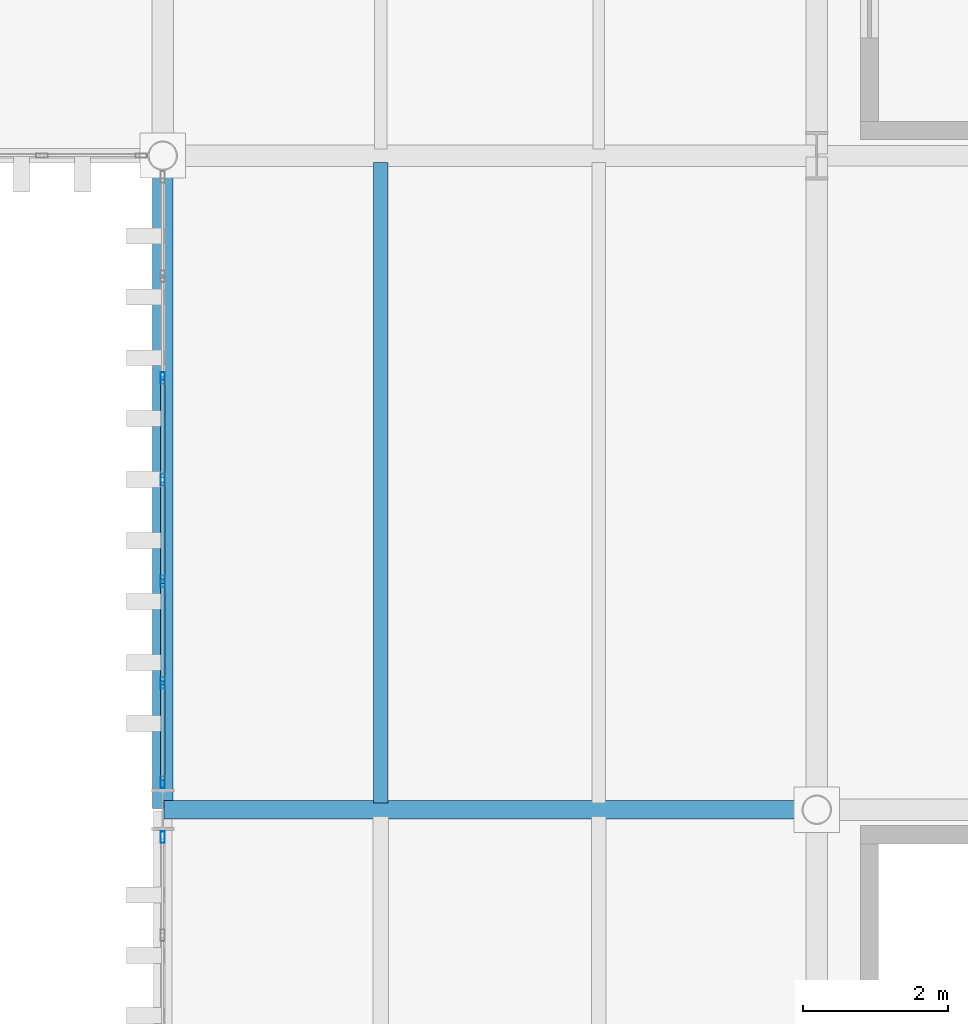
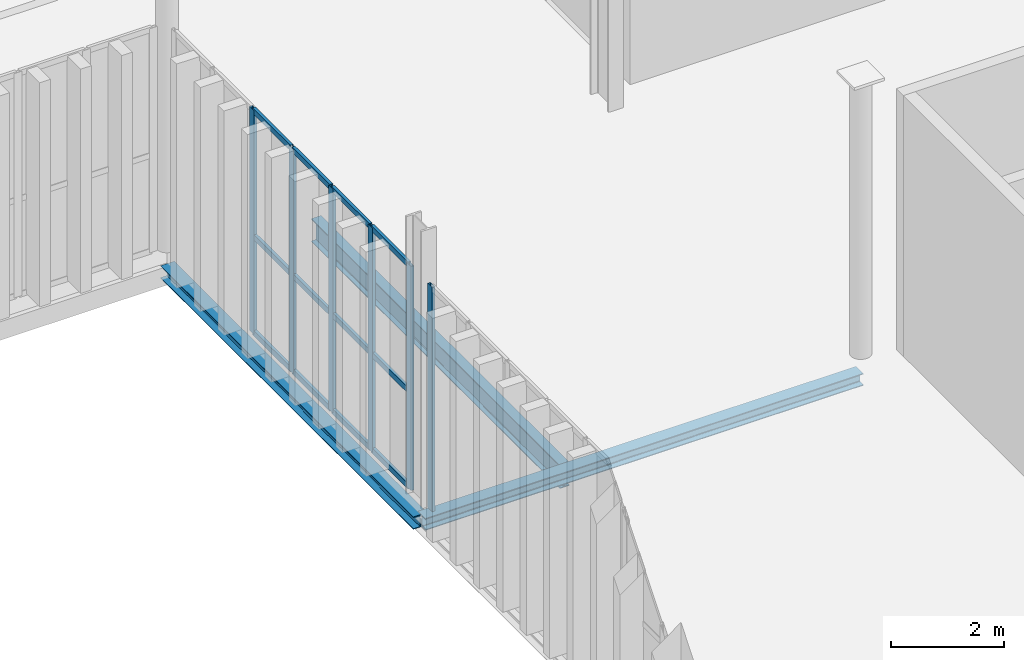
# One storey, part 146 of 237: 18 members, 3 beams, 2 elements without a shape of their own.
"""IFC4 building model written with IfcOpenShell, lengths in metres."""

import ifcopenshell
import ifcopenshell.guid

model = None  # the IFC model being written
_history = None  # IfcOwnerHistory: only IFC2X3 demands one
_inside = {}  # id of a spatial element -> (the spatial element, [elements in it])
_under = {}  # id of a project, library or spatial element -> (it, [spatial elements below it])
_declared = {}  # id of a project -> (the project, [libraries it declares])
_typed = {}  # id of a type object -> (the type object, [elements of that type])
_made_of = {}  # id of a material, layer set ... -> (it, [elements and type objects made of it])


def new_model(schema):
    """Start an empty IFC model of exactly this schema.

    Asked for "IFC4X3", IfcOpenShell would pick the latest addendum, in which some entities
    have other attributes; the version numbers below select the first issue.
    IFC2X3 requires an IfcOwnerHistory on every rooted entity: one is made here for all.
    """
    global model, _history
    if schema == "IFC4X3":
        model = ifcopenshell.file(schema_version=(4, 3, 0, 0))
    else:
        model = ifcopenshell.file(schema=schema)
    _inside.clear()
    _under.clear()
    _declared.clear()
    _typed.clear()
    _made_of.clear()
    _history = None
    if model.schema == "IFC2X3":
        org = make("IfcOrganization", Name="unknown")
        user = make(
            "IfcPersonAndOrganization",
            ThePerson=make("IfcPerson", FamilyName="unknown"),
            TheOrganization=org,
        )
        app = make(
            "IfcApplication",
            ApplicationDeveloper=org,
            Version="unknown",
            ApplicationFullName="unknown",
            ApplicationIdentifier="unknown",
        )
        _history = make(
            "IfcOwnerHistory",
            OwningUser=user,
            OwningApplication=app,
            ChangeAction="ADDED",
            CreationDate=0,
        )
    return model


def make(cls, **values):
    """One entity of the class cls with the attributes given. An attribute that is None is left unset."""
    return model.create_entity(
        cls, **{name: value for name, value in values.items() if value is not None}
    )


def rooted(cls, **values):
    """An entity with a GlobalId (a new one), such as an element, a storey or a relation."""
    return make(cls, GlobalId=ifcopenshell.guid.new(), OwnerHistory=_history, **values)


def si_unit(unit_type, name, prefix=None):
    """IfcSIUnit, for example si_unit("LENGTHUNIT", "METRE", prefix="MILLI")."""
    return make("IfcSIUnit", UnitType=unit_type, Prefix=prefix, Name=name)


def assignment(units):
    """IfcUnitAssignment: the units of a project."""
    return None if units is None else make("IfcUnitAssignment", Units=units)


def point(xyz):
    """IfcCartesianPoint."""
    return None if xyz is None else make("IfcCartesianPoint", Coordinates=xyz)


def direction(xyz):
    """IfcDirection."""
    return None if xyz is None else make("IfcDirection", DirectionRatios=xyz)


def frame(location, z_axis=None, x_axis=None):
    """IfcAxis2Placement3D, a coordinate frame: its origin and axes. An axis left out is left unset."""
    return make(
        "IfcAxis2Placement3D",
        Location=point(location),
        Axis=direction(z_axis),
        RefDirection=direction(x_axis),
    )


def frame_2d(location, x_axis=None):
    """IfcAxis2Placement2D, a coordinate frame in the plane: its origin and x axis."""
    return make(
        "IfcAxis2Placement2D", Location=point(location), RefDirection=direction(x_axis)
    )


def origin():
    """The frame at (0, 0, 0) with its axes left unset."""
    return frame((0.0, 0.0, 0.0))


def origin_2d():
    """The frame at (0, 0) in the plane with its x axis left unset."""
    return frame_2d((0.0, 0.0))


def place(relative_to, where):
    """IfcLocalPlacement: puts the frame where relative to a parent placement (None: the world)."""
    return make(
        "IfcLocalPlacement", PlacementRelTo=relative_to, RelativePlacement=where
    )


def context(
    kind, dimensions, precision=None, world=None, true_north=None, identifier=None
):
    """IfcGeometricRepresentationContext, for example the 3D "Model" context."""
    return make(
        "IfcGeometricRepresentationContext",
        ContextIdentifier=identifier,
        ContextType=kind,
        CoordinateSpaceDimension=dimensions,
        Precision=precision,
        WorldCoordinateSystem=world,
        TrueNorth=true_north,
    )


def subcontext(parent, identifier, kind, view, scale=None):
    """IfcGeometricRepresentationSubContext, for example "Body" below "Model"."""
    return make(
        "IfcGeometricRepresentationSubContext",
        ContextIdentifier=identifier,
        ContextType=kind,
        ParentContext=parent,
        TargetScale=scale,
        TargetView=view,
    )


def project(units=None, contexts=None):
    """IfcProject with its units and contexts."""
    return rooted(
        "IfcProject",
        Name="project",
        RepresentationContexts=contexts,
        UnitsInContext=assignment(units),
    )


def spatial(cls, under=None, at=None, **own):
    """A site, building, storey or space (cls), placed at a placement, below another one or the project."""
    s = rooted(cls, ObjectPlacement=at, **own)
    if under is not None:
        _under.setdefault(under.id(), (under, []))[1].append(s)
    return s


def profile(cls, at=None, kind="AREA", **sizes):
    """A parametric profile (cls). Its sizes go by their IFC names, for example OverallWidth=200.0."""
    return make(cls, ProfileType=kind, Position=at, **sizes)


def hollow_rectangle(**sizes):
    """IfcRectangleHollowProfileDef."""
    return profile("IfcRectangleHollowProfileDef", **sizes)


def i_section(**sizes):
    """IfcIShapeProfileDef."""
    return profile("IfcIShapeProfileDef", **sizes)


def extrude(swept, where, along, depth):
    """IfcExtrudedAreaSolid: the profile swept, set in the frame where, extruded along a direction by depth."""
    return make(
        "IfcExtrudedAreaSolid",
        SweptArea=swept,
        Position=where,
        ExtrudedDirection=direction(along),
        Depth=depth,
    )


def shape(context_of_items, identifier, shape_type, items):
    """IfcShapeRepresentation: the items that make up one representation, for example the "Body"."""
    return make(
        "IfcShapeRepresentation",
        ContextOfItems=context_of_items,
        RepresentationIdentifier=identifier,
        RepresentationType=shape_type,
        Items=items,
    )


def material(Name=None, Category=None):
    """IfcMaterial."""
    return make("IfcMaterial", Name=Name, Category=Category)


def layer(
    of_material, thickness, ventilated=None, Name=None, Category=None, Priority=None
):
    """IfcMaterialLayer: one layer of a wall or slab, of a material (None: an air gap)."""
    return make(
        "IfcMaterialLayer",
        Material=of_material,
        LayerThickness=thickness,
        IsVentilated=ventilated,
        Name=Name,
        Category=Category,
        Priority=Priority,
    )


def layer_set(layers, Name=None):
    """IfcMaterialLayerSet."""
    return make("IfcMaterialLayerSet", MaterialLayers=layers, LayerSetName=Name)


def material_profile(
    of_material, cross_section, Name=None, Category=None, Priority=None
):
    """IfcMaterialProfile: a cross section and its material."""
    return make(
        "IfcMaterialProfile",
        Name=Name,
        Material=of_material,
        Profile=cross_section,
        Priority=Priority,
        Category=Category,
    )


def profile_set(profiles, Name=None, composite=None):
    """IfcMaterialProfileSet."""
    return make(
        "IfcMaterialProfileSet",
        Name=Name,
        MaterialProfiles=profiles,
        CompositeProfile=composite,
    )


def made_of(thing, what):
    """Note that an element or type object is made of a material, layer set ...; save() writes the relation."""
    if what is not None:
        _made_of.setdefault(what.id(), (what, []))[1].append(thing)
    return thing


def type_object(cls, material=None, **own):
    """A type object (cls), such as IfcWallType, which elements share."""
    return made_of(rooted(cls, **own), material)


def element(
    cls,
    number,
    at=None,
    inside=None,
    cuts=None,
    type_object=None,
    material=None,
    context=None,
    identifier="Body",
    shape_type=None,
    held_by="IfcProductDefinitionShape",
    body=None,
    shapes=None,
    **own,
):
    """One element of the class cls, such as IfcWall. Its Tag is "e" and its number.

    at: its placement. inside: the storey or other place that contains it. cuts: it is an
    opening in that element (IfcRelVoidsElement). A single representation is given by context,
    identifier, shape_type and body (its items); several are given by shapes. held_by: the class
    of the entity that holds the representations. save() writes the other relations.
    """
    e = rooted(cls, Tag="e%d" % number, ObjectPlacement=at, **own)
    if body is not None:
        shapes = [shape(context, identifier, shape_type, body)]
    if shapes is not None:
        e.Representation = make(held_by, Representations=shapes)
    if inside is not None:
        _inside.setdefault(inside.id(), (inside, []))[1].append(e)
    if cuts is not None:
        rooted(
            "IfcRelVoidsElement", RelatingBuildingElement=cuts, RelatedOpeningElement=e
        )
    if type_object is not None:
        _typed.setdefault(type_object.id(), (type_object, []))[1].append(e)
    return made_of(e, material)


def aggregate(whole, parts):
    """IfcRelAggregates: a whole, such as a stair, and the parts it consists of."""
    return rooted("IfcRelAggregates", RelatingObject=whole, RelatedObjects=parts)


def save(model, path):
    """Write the relations noted so far, then the file.

    IfcRelAggregates (storeys below a building ...), IfcRelContainedInSpatialStructure (elements
    in a storey), IfcRelDefinesByType, IfcRelAssociatesMaterial and IfcRelDeclares: one each for
    every whole, place, type object, material and project.
    """
    for whole, parts in _under.values():
        aggregate(whole, parts)
    for where, things in _inside.values():
        rooted(
            "IfcRelContainedInSpatialStructure",
            RelatedElements=things,
            RelatingStructure=where,
        )
    for kind, things in _typed.values():
        rooted("IfcRelDefinesByType", RelatedObjects=things, RelatingType=kind)
    for what, things in _made_of.values():
        rooted("IfcRelAssociatesMaterial", RelatedObjects=things, RelatingMaterial=what)
    for by, libraries in _declared.values():
        rooted("IfcRelDeclares", RelatingContext=by, RelatedDefinitions=libraries)
    model.write(path)


model = new_model("IFC4")

# Units and contexts
model_context = context("Model", 3, precision=1e-05, world=origin(), true_north=direction((0.0, 1.0)))
body_context = subcontext(model_context, "Body", "Model", "MODEL_VIEW")
ifc_project = project(units=[si_unit("LENGTHUNIT", "METRE"), si_unit("AREAUNIT", "SQUARE_METRE"), si_unit("VOLUMEUNIT", "CUBIC_METRE"), si_unit("PLANEANGLEUNIT", "RADIAN"), si_unit("MASSUNIT", "GRAM", prefix="KILO")], contexts=[model_context])

# Site, building, storey
site_placement = place(None, origin())
site = spatial("IfcSite", under=ifc_project, at=site_placement, CompositionType="ELEMENT")
building_placement = place(site_placement, origin())
building = spatial("IfcBuilding", under=site, at=building_placement, Name="Barlavento Convention Centre", CompositionType="ELEMENT")
storey_placement = place(building_placement, frame((0.0, 0.0, 12.0)))
storey = spatial("IfcBuildingStorey", under=building, at=storey_placement, Name="L02", CompositionType="ELEMENT", Elevation=12.0)

# Curtain wall, member
ifc_material_1 = material(Name="Powder-coated aluminium and Low-E glass", Category="aluminium")
ifc_layer = layer(ifc_material_1, 0.195068359375)
ifc_layer_set = layer_set([ifc_layer], Name="ARC-CW-PATIO-A")
curtain_wall_type = type_object("IfcCurtainWallType", Name="ARC-CW-PATIO-A", PredefinedType="NOTDEFINED", material=ifc_layer_set)
curtain_wall_1_placement = place(storey_placement, origin())
curtain_wall_1 = element("IfcCurtainWall", 1, at=curtain_wall_1_placement, inside=storey, type_object=curtain_wall_type, Name="L02 unitised curtain wall CW11", PredefinedType="NOTDEFINED")
ifc_material_2 = material(Name="Powder-coated aluminium", Category="aluminium")
ifc_material_profile_1 = material_profile(ifc_material_2, hollow_rectangle(XDim=0.06005859375, YDim=0.159912109375, WallThickness=0.00390625, at=origin_2d()), Name="AL-MULL 60x160x4")
ifc_profile_set_1 = profile_set([ifc_material_profile_1], Name="Powder-coated aluminium")
member_type_1 = type_object("IfcMemberType", Name="ARC-CWM-60X160", PredefinedType="MULLION", material=ifc_profile_set_1)
member_1_placement = place(storey_placement, frame((171.0, 80.6240234375, 0.0), z_axis=(0.0, 0.0, 1.0), x_axis=(-1.0, 0.0, 0.0)))
member_1 = element("IfcMember", 2, at=member_1_placement, type_object=member_type_1, Name="CW11 mullion 7", PredefinedType="MULLION", context=body_context, shape_type="SweptSolid", body=[
    extrude(hollow_rectangle(XDim=0.06005859375, YDim=0.159912109375, WallThickness=0.00390625, at=origin_2d()), origin(), (0.0, 0.0, 1.0), 4.85009765625),
])
aggregate(curtain_wall_1, [member_1])

# Curtain wall, members
curtain_wall_2_placement = place(storey_placement, origin())
curtain_wall_2 = element("IfcCurtainWall", 3, at=curtain_wall_2_placement, inside=storey, type_object=curtain_wall_type, Name="L02 unitised curtain wall CW11", PredefinedType="NOTDEFINED")
member_2_placement = place(storey_placement, frame((171.0, 81.3759765625, 0.0), z_axis=(0.0, 0.0, 1.0), x_axis=(-1.0, 0.0, 0.0)))
member_2 = element("IfcMember", 4, at=member_2_placement, type_object=member_type_1, Name="CW11 mullion 1", PredefinedType="MULLION", context=body_context, shape_type="SweptSolid", body=[
    extrude(hollow_rectangle(XDim=0.06005859375, YDim=0.159912109375, WallThickness=0.00390625, at=origin_2d()), origin(), (0.0, 0.0, 1.0), 4.85009765625),
])
member_3_placement = place(storey_placement, frame((171.0, 82.744384765625, 0.0), z_axis=(0.0, 0.0, 1.0), x_axis=(-1.0, 0.0, 0.0)))
member_3 = element("IfcMember", 5, at=member_3_placement, type_object=member_type_1, Name="CW11 mullion 2", PredefinedType="MULLION", context=body_context, shape_type="SweptSolid", body=[
    extrude(hollow_rectangle(XDim=0.06005859375, YDim=0.159912109375, WallThickness=0.00390625, at=origin_2d()), origin(), (0.0, 0.0, 1.0), 4.85009765625),
])
member_4_placement = place(storey_placement, frame((171.0, 84.142822265625, 0.0), z_axis=(0.0, 0.0, 1.0), x_axis=(-1.0, 0.0, 0.0)))
member_4 = element("IfcMember", 6, at=member_4_placement, type_object=member_type_1, Name="CW11 mullion 3", PredefinedType="MULLION", context=body_context, shape_type="SweptSolid", body=[
    extrude(hollow_rectangle(XDim=0.06005859375, YDim=0.159912109375, WallThickness=0.00390625, at=origin_2d()), origin(), (0.0, 0.0, 1.0), 4.85009765625),
])
member_5_placement = place(storey_placement, frame((171.0, 85.54150390625, 0.0), z_axis=(0.0, 0.0, 1.0), x_axis=(-1.0, 0.0, 0.0)))
member_5 = element("IfcMember", 7, at=member_5_placement, type_object=member_type_1, Name="CW11 mullion 4", PredefinedType="MULLION", context=body_context, shape_type="SweptSolid", body=[
    extrude(hollow_rectangle(XDim=0.06005859375, YDim=0.159912109375, WallThickness=0.00390625, at=origin_2d()), origin(), (0.0, 0.0, 1.0), 4.85009765625),
])
member_6_placement = place(storey_placement, frame((171.0, 86.93994140625, 0.0), z_axis=(0.0, 0.0, 1.0), x_axis=(-1.0, 0.0, 0.0)))
member_6 = element("IfcMember", 8, at=member_6_placement, type_object=member_type_1, Name="CW11 mullion 5", PredefinedType="MULLION", context=body_context, shape_type="SweptSolid", body=[
    extrude(hollow_rectangle(XDim=0.06005859375, YDim=0.159912109375, WallThickness=0.00390625, at=origin_2d()), origin(), (0.0, 0.0, 1.0), 4.85009765625),
])
ifc_material_profile_2 = material_profile(ifc_material_2, hollow_rectangle(XDim=0.06005859375, YDim=0.1201171875, WallThickness=0.00390625, at=origin_2d()), Name="AL-TRAN 60x120x4")
ifc_profile_set_2 = profile_set([ifc_material_profile_2], Name="Powder-coated aluminium")
member_type_2 = type_object("IfcMemberType", Name="ARC-CWT-60X120", PredefinedType="USERDEFINED", material=ifc_profile_set_2)
member_7_placement = place(storey_placement, frame((171.0, 81.406005859375, 0.030029296875), z_axis=(0.0, 1.0, 0.0), x_axis=(-1.0, 0.0, 0.0)))
member_7 = element("IfcMember", 9, at=member_7_placement, type_object=member_type_2, Name="CW11 transom 1.1", ObjectType="TRANSOM", PredefinedType="USERDEFINED", context=body_context, shape_type="SweptSolid", body=[
    extrude(hollow_rectangle(XDim=0.06005859375, YDim=0.1201171875, WallThickness=0.00390625, at=origin_2d()), origin(), (0.0, 0.0, 1.0), 1.308349609375),
])
member_8_placement = place(storey_placement, frame((171.0, 81.406005859375, 2.10009765625), z_axis=(0.0, 1.0, 0.0), x_axis=(-1.0, 0.0, 0.0)))
member_8 = element("IfcMember", 10, at=member_8_placement, type_object=member_type_2, Name="CW11 transom 1.2", ObjectType="TRANSOM", PredefinedType="USERDEFINED", context=body_context, shape_type="SweptSolid", body=[
    extrude(hollow_rectangle(XDim=0.06005859375, YDim=0.1201171875, WallThickness=0.00390625, at=origin_2d()), origin(), (0.0, 0.0, 1.0), 1.308349609375),
])
member_9_placement = place(storey_placement, frame((171.0, 81.406005859375, 4.820068359375), z_axis=(0.0, 1.0, 0.0), x_axis=(-1.0, 0.0, 0.0)))
member_9 = element("IfcMember", 11, at=member_9_placement, type_object=member_type_2, Name="CW11 transom 1.3", ObjectType="TRANSOM", PredefinedType="USERDEFINED", context=body_context, shape_type="SweptSolid", body=[
    extrude(hollow_rectangle(XDim=0.06005859375, YDim=0.1201171875, WallThickness=0.00390625, at=origin_2d()), origin(), (0.0, 0.0, 1.0), 1.308349609375),
])
member_10_placement = place(storey_placement, frame((171.0, 82.7744140625, 0.030029296875), z_axis=(0.0, 1.0, 0.0), x_axis=(-1.0, 0.0, 0.0)))
member_10 = element("IfcMember", 12, at=member_10_placement, type_object=member_type_2, Name="CW11 transom 2.1", ObjectType="TRANSOM", PredefinedType="USERDEFINED", context=body_context, shape_type="SweptSolid", body=[
    extrude(hollow_rectangle(XDim=0.06005859375, YDim=0.1201171875, WallThickness=0.00390625, at=origin_2d()), origin(), (0.0, 0.0, 1.0), 1.338623046875),
])
member_11_placement = place(storey_placement, frame((171.0, 82.7744140625, 2.10009765625), z_axis=(0.0, 1.0, 0.0), x_axis=(-1.0, 0.0, 0.0)))
member_11 = element("IfcMember", 13, at=member_11_placement, type_object=member_type_2, Name="CW11 transom 2.2", ObjectType="TRANSOM", PredefinedType="USERDEFINED", context=body_context, shape_type="SweptSolid", body=[
    extrude(hollow_rectangle(XDim=0.06005859375, YDim=0.1201171875, WallThickness=0.00390625, at=origin_2d()), origin(), (0.0, 0.0, 1.0), 1.338623046875),
])
member_12_placement = place(storey_placement, frame((171.0, 82.7744140625, 4.820068359375), z_axis=(0.0, 1.0, 0.0), x_axis=(-1.0, 0.0, 0.0)))
member_12 = element("IfcMember", 14, at=member_12_placement, type_object=member_type_2, Name="CW11 transom 2.3", ObjectType="TRANSOM", PredefinedType="USERDEFINED", context=body_context, shape_type="SweptSolid", body=[
    extrude(hollow_rectangle(XDim=0.06005859375, YDim=0.1201171875, WallThickness=0.00390625, at=origin_2d()), origin(), (0.0, 0.0, 1.0), 1.338623046875),
])
member_13_placement = place(storey_placement, frame((171.0, 84.1728515625, 0.030029296875), z_axis=(0.0, 1.0, 0.0), x_axis=(-1.0, 0.0, 0.0)))
member_13 = element("IfcMember", 15, at=member_13_placement, type_object=member_type_2, Name="CW11 transom 3.1", ObjectType="TRANSOM", PredefinedType="USERDEFINED", context=body_context, shape_type="SweptSolid", body=[
    extrude(hollow_rectangle(XDim=0.06005859375, YDim=0.1201171875, WallThickness=0.00390625, at=origin_2d()), origin(), (0.0, 0.0, 1.0), 1.338623046875),
])
member_14_placement = place(storey_placement, frame((171.0, 84.1728515625, 2.10009765625), z_axis=(0.0, 1.0, 0.0), x_axis=(-1.0, 0.0, 0.0)))
member_14 = element("IfcMember", 16, at=member_14_placement, type_object=member_type_2, Name="CW11 transom 3.2", ObjectType="TRANSOM", PredefinedType="USERDEFINED", context=body_context, shape_type="SweptSolid", body=[
    extrude(hollow_rectangle(XDim=0.06005859375, YDim=0.1201171875, WallThickness=0.00390625, at=origin_2d()), origin(), (0.0, 0.0, 1.0), 1.338623046875),
])
member_15_placement = place(storey_placement, frame((171.0, 84.1728515625, 4.820068359375), z_axis=(0.0, 1.0, 0.0), x_axis=(-1.0, 0.0, 0.0)))
member_15 = element("IfcMember", 17, at=member_15_placement, type_object=member_type_2, Name="CW11 transom 3.3", ObjectType="TRANSOM", PredefinedType="USERDEFINED", context=body_context, shape_type="SweptSolid", body=[
    extrude(hollow_rectangle(XDim=0.06005859375, YDim=0.1201171875, WallThickness=0.00390625, at=origin_2d()), origin(), (0.0, 0.0, 1.0), 1.338623046875),
])
member_16_placement = place(storey_placement, frame((171.0, 85.5712890625, 0.030029296875), z_axis=(0.0, 1.0, 0.0), x_axis=(-1.0, 0.0, 0.0)))
member_16 = element("IfcMember", 18, at=member_16_placement, type_object=member_type_2, Name="CW11 transom 4.1", ObjectType="TRANSOM", PredefinedType="USERDEFINED", context=body_context, shape_type="SweptSolid", body=[
    extrude(hollow_rectangle(XDim=0.06005859375, YDim=0.1201171875, WallThickness=0.00390625, at=origin_2d()), origin(), (0.0, 0.0, 1.0), 1.338623046875),
])
member_17_placement = place(storey_placement, frame((171.0, 85.5712890625, 2.10009765625), z_axis=(0.0, 1.0, 0.0), x_axis=(-1.0, 0.0, 0.0)))
member_17 = element("IfcMember", 19, at=member_17_placement, type_object=member_type_2, Name="CW11 transom 4.2", ObjectType="TRANSOM", PredefinedType="USERDEFINED", context=body_context, shape_type="SweptSolid", body=[
    extrude(hollow_rectangle(XDim=0.06005859375, YDim=0.1201171875, WallThickness=0.00390625, at=origin_2d()), origin(), (0.0, 0.0, 1.0), 1.338623046875),
])
member_18_placement = place(storey_placement, frame((171.0, 85.5712890625, 4.820068359375), z_axis=(0.0, 1.0, 0.0), x_axis=(-1.0, 0.0, 0.0)))
member_18 = element("IfcMember", 20, at=member_18_placement, type_object=member_type_2, Name="CW11 transom 4.3", ObjectType="TRANSOM", PredefinedType="USERDEFINED", context=body_context, shape_type="SweptSolid", body=[
    extrude(hollow_rectangle(XDim=0.06005859375, YDim=0.1201171875, WallThickness=0.00390625, at=origin_2d()), origin(), (0.0, 0.0, 1.0), 1.338623046875),
])
aggregate(curtain_wall_2, [member_2, member_3, member_4, member_5, member_6, member_7, member_8, member_9, member_10, member_11, member_12, member_13, member_14, member_15, member_16, member_17, member_18])

# Beams
ifc_material_3 = material(Name="Steel S355", Category="steel")
ifc_material_profile_3 = material_profile(ifc_material_3, i_section(OverallWidth=0.199951171875, OverallDepth=0.5, WebThickness=0.01025390625, FlangeThickness=0.01611328125, FilletRadius=0.02099609375, at=origin_2d()), Name="IPE 500")
ifc_profile_set_3 = profile_set([ifc_material_profile_3], Name="Steel S355")
beam_type_1 = type_object("IfcBeamType", Name="STR-BM-JST-IPE500", PredefinedType="JOIST", material=ifc_profile_set_3)
beam_1_placement = place(storey_placement, frame((174.0, 81.094970703125, -0.610107421875), z_axis=(0.0, 1.0, 0.0), x_axis=(-1.0, 0.0, 0.0)))
element("IfcBeam", 21, at=beam_1_placement, inside=storey, type_object=beam_type_1, Name="L02 composite floor joist SJ02", PredefinedType="JOIST", context=body_context, shape_type="SweptSolid", body=[
    extrude(i_section(OverallWidth=0.199951171875, OverallDepth=0.5, WebThickness=0.01025390625, FlangeThickness=0.01611328125, FilletRadius=0.02099609375, at=origin_2d()), origin(), (0.0, 0.0, 1.0), 8.81005859375),
])
ifc_material_profile_4 = material_profile(ifc_material_3, i_section(OverallWidth=0.260009765625, OverallDepth=0.260009765625, WebThickness=0.010009765625, FlangeThickness=0.017578125, FilletRadius=0.02392578125, at=origin_2d()), Name="HEB 260")
ifc_profile_set_4 = profile_set([ifc_material_profile_4], Name="Steel S355")
beam_type_2 = type_object("IfcBeamType", Name="STR-BM-PRI-HEB260", PredefinedType="BEAM", material=ifc_profile_set_4)
beam_2_placement = place(storey_placement, frame((171.02001953125, 81.0, -0.489990234375), z_axis=(1.0, 0.0, 0.0), x_axis=(0.0, 1.0, 0.0)))
element("IfcBeam", 22, at=beam_2_placement, inside=storey, type_object=beam_type_2, Name="L02 primary girder BG16", PredefinedType="BEAM", context=body_context, shape_type="SweptSolid", body=[
    extrude(i_section(OverallWidth=0.260009765625, OverallDepth=0.260009765625, WebThickness=0.010009765625, FlangeThickness=0.017578125, FilletRadius=0.02392578125, at=origin_2d()), origin(), (0.0, 0.0, 1.0), 8.9599609375),
])
ifc_material_profile_5 = material_profile(ifc_material_3, i_section(OverallWidth=0.280029296875, OverallDepth=0.27001953125, WebThickness=0.008056640625, FlangeThickness=0.012939453125, FilletRadius=0.02392578125, at=origin_2d()), Name="HEA 280")
ifc_profile_set_5 = profile_set([ifc_material_profile_5], Name="Steel S355")
beam_type_3 = type_object("IfcBeamType", Name="STR-BM-SPN-HEA280", PredefinedType="SPANDREL", material=ifc_profile_set_5)
beam_3_placement = place(storey_placement, frame((171.0, 81.02001953125, -0.4951171875), z_axis=(0.0, 1.0, 0.0), x_axis=(-1.0, 0.0, 0.0)))
element("IfcBeam", 23, at=beam_3_placement, inside=storey, type_object=beam_type_3, Name="L02 grid girder SP03", PredefinedType="SPANDREL", context=body_context, shape_type="SweptSolid", body=[
    extrude(i_section(OverallWidth=0.280029296875, OverallDepth=0.27001953125, WebThickness=0.008056640625, FlangeThickness=0.012939453125, FilletRadius=0.02392578125, at=origin_2d()), origin(), (0.0, 0.0, 1.0), 8.9599609375),
])

save(model, "model.ifc")
